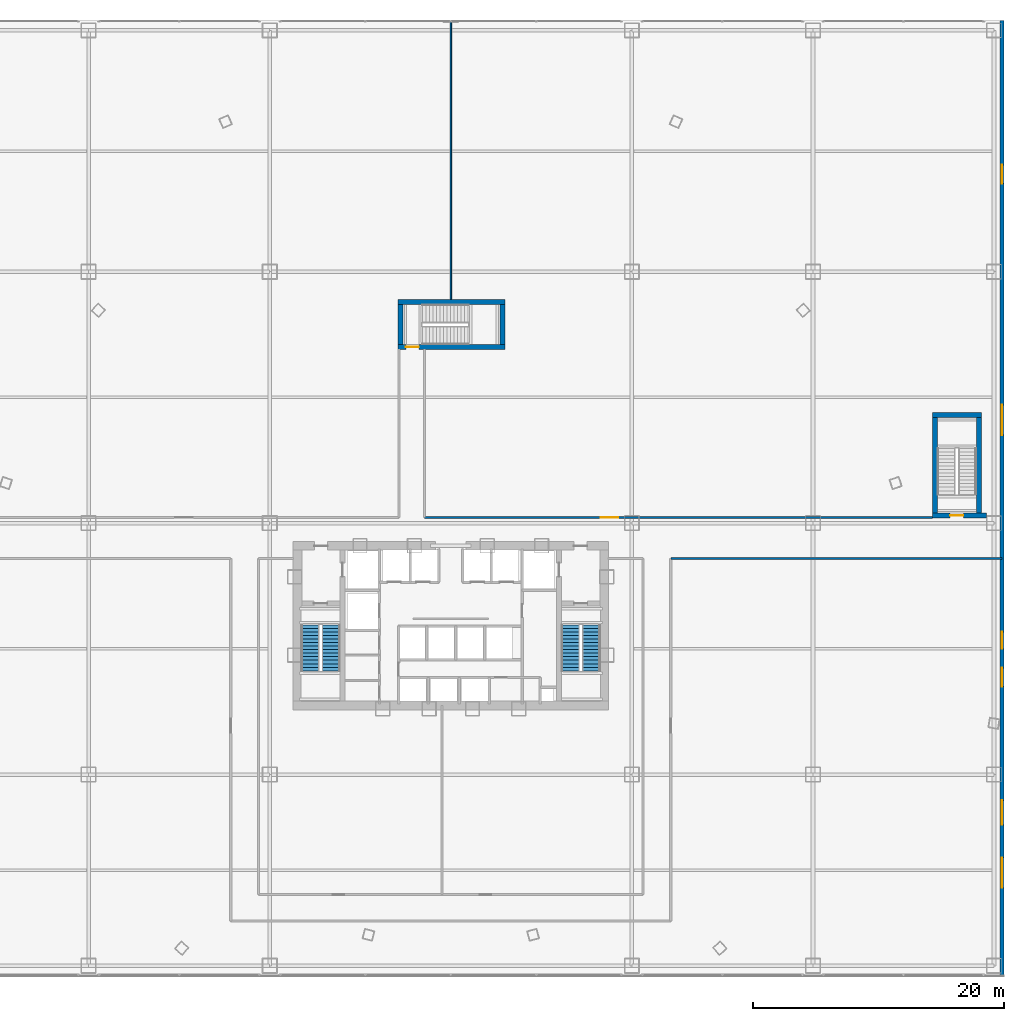
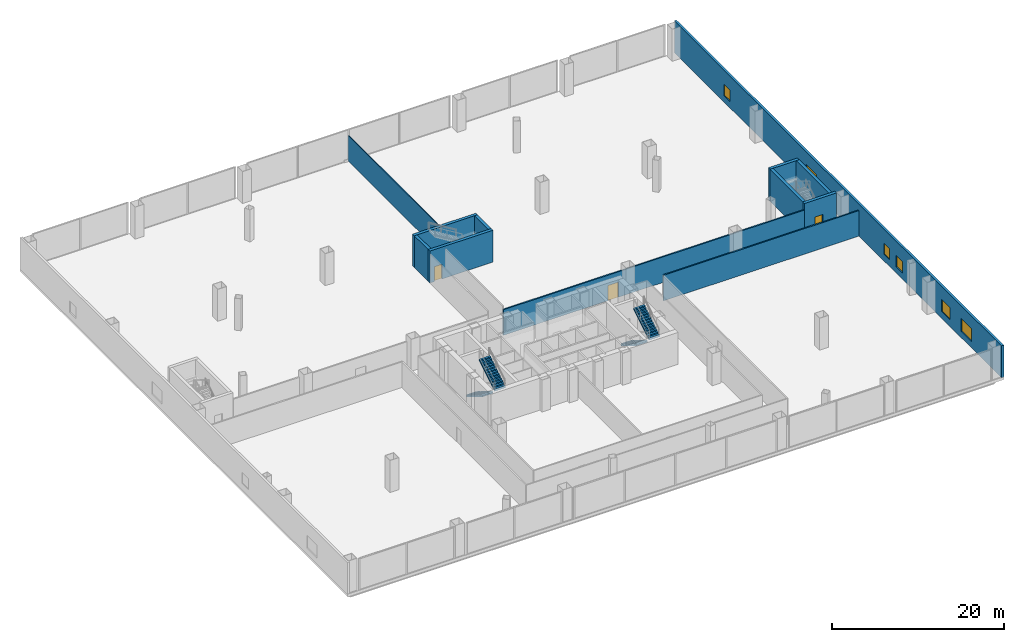
# One storey, part 35 of 40: 12 walls, 6 windows, 4 stair flights, 3 doors, 9 openings, 2 elements without a shape of their own.
"""IFC4 building model written with IfcOpenShell, lengths in metres."""

from ifc_helpers import new_model, si_unit, direction, frame, frame_2d, origin, origin_with_axes, place, context, subcontext, project, spatial, polyline, rectangle, outline, extrude, source, transform, mapped, material, layer, layer_set, type_object, element, fill, aggregate, save


model = new_model("IFC4")

# Units and contexts
model_context = context("Model", 3, precision=1e-05, world=origin(), true_north=direction((0.0, 1.0)))
body_context = subcontext(model_context, "Body", "Model", "MODEL_VIEW")
ifc_project = project(units=[si_unit("LENGTHUNIT", "METRE"), si_unit("AREAUNIT", "SQUARE_METRE"), si_unit("VOLUMEUNIT", "CUBIC_METRE"), si_unit("PLANEANGLEUNIT", "RADIAN"), si_unit("MASSUNIT", "GRAM", prefix="KILO"), si_unit("THERMODYNAMICTEMPERATUREUNIT", "KELVIN"), si_unit("POWERUNIT", "WATT")], contexts=[model_context])

# Site, building, storey
site_placement = place(None, origin())
site = spatial("IfcSite", under=ifc_project, at=site_placement, CompositionType="ELEMENT")
building_placement = place(site_placement, origin())
building = spatial("IfcBuilding", under=site, at=building_placement, Name="Yunzhuo Pagoda Commons", CompositionType="ELEMENT")
storey_placement = place(building_placement, frame((0.0, 0.0, 14.39990234375)))
storey = spatial("IfcBuildingStorey", under=building, at=storey_placement, Name="L04", CompositionType="ELEMENT", Elevation=14.39990234375)

# Wall, openings, windows
ifc_material_1 = material(Name="Precast concrete C40", Category="concrete")
ifc_layer_1 = layer(ifc_material_1, 0.300048828125)
ifc_layer_set_1 = layer_set([ifc_layer_1], Name="Precast concrete C40")
wall_type_1 = type_object("IfcWallType", Name="W-EXT1 Podium Precast Spandrel Wall 300", PredefinedType="STANDARD", material=ifc_layer_set_1)
wall_1_placement = place(storey_placement, frame((91.85009765625, 6.0, 0.0), z_axis=(0.0, 0.0, 1.0), x_axis=(0.0, 1.0, 0.0)))
wall_1 = element("IfcWall", 1, at=wall_1_placement, inside=storey, type_object=wall_type_1, Name="L04 E precast spandrel wall", PredefinedType="STANDARD", context=body_context, shape_type="SweptSolid", body=[
    extrude(rectangle(XDim=76.0, YDim=0.300048828125, at=frame_2d((38.0, 0.0))), origin(), (0.0, 0.0, 1.0), 4.52001953125),
])
opening_1_placement = place(wall_1_placement, frame((7.0, 0.0, 0.89990234375)))
opening_1 = element("IfcOpeningElement", 2, at=opening_1_placement, cuts=wall_1, Name="Opening W-01", PredefinedType="OPENING", context=body_context, shape_type="SweptSolid", body=[
    extrude(rectangle(XDim=2.39990234375, YDim=1.800048828125, at=frame_2d((1.199951171875, 0.89990234375))), frame((0.0, 0.16015625, 0.0), z_axis=(0.0, -1.0, 0.0), x_axis=(1.0, 0.0, 0.0)), (0.0, 0.0, 1.0), 0.320068359375),
])
opening_2_placement = place(wall_1_placement, frame((23.0, 0.0, 0.89990234375)))
opening_2 = element("IfcOpeningElement", 3, at=opening_2_placement, cuts=wall_1, Name="Opening W-02", PredefinedType="OPENING", context=body_context, shape_type="SweptSolid", body=[
    extrude(rectangle(XDim=1.5, YDim=1.60009765625, at=frame_2d((0.75, 0.800048828125))), frame((0.0, 0.16015625, 0.0), z_axis=(0.0, -1.0, 0.0), x_axis=(1.0, 0.0, 0.0)), (0.0, 0.0, 1.0), 0.320068359375),
])
opening_3_placement = place(wall_1_placement, frame((43.0, 0.0, 0.89990234375)))
opening_3 = element("IfcOpeningElement", 4, at=opening_3_placement, cuts=wall_1, Name="Opening W-01", PredefinedType="OPENING", context=body_context, shape_type="SweptSolid", body=[
    extrude(rectangle(XDim=2.39990234375, YDim=1.800048828125, at=frame_2d((1.199951171875, 0.89990234375))), frame((0.0, 0.16015625, 0.0), z_axis=(0.0, -1.0, 0.0), x_axis=(1.0, 0.0, 0.0)), (0.0, 0.0, 1.0), 0.320068359375),
])
opening_4_placement = place(wall_1_placement, frame((63.0, 0.0, 0.89990234375)))
opening_4 = element("IfcOpeningElement", 5, at=opening_4_placement, cuts=wall_1, Name="Opening W-02", PredefinedType="OPENING", context=body_context, shape_type="SweptSolid", body=[
    extrude(rectangle(XDim=1.5, YDim=1.60009765625, at=frame_2d((0.75, 0.800048828125))), frame((0.0, 0.16015625, 0.0), z_axis=(0.0, -1.0, 0.0), x_axis=(1.0, 0.0, 0.0)), (0.0, 0.0, 1.0), 0.320068359375),
])
opening_5_placement = place(wall_1_placement, frame((12.0, 0.0, 0.949951171875)))
opening_5 = element("IfcOpeningElement", 6, at=opening_5_placement, cuts=wall_1, Name="Opening W-07", PredefinedType="OPENING", context=body_context, shape_type="SweptSolid", body=[
    extrude(rectangle(XDim=1.949951171875, YDim=1.75, at=frame_2d((0.97509765625, 0.875))), frame((0.0, 0.16015625, 0.0), z_axis=(0.0, -1.0, 0.0), x_axis=(1.0, 0.0, 0.0)), (0.0, 0.0, 1.0), 0.320068359375),
])
opening_6_placement = place(wall_1_placement, frame((26.0, 0.0, 0.949951171875)))
opening_6 = element("IfcOpeningElement", 7, at=opening_6_placement, cuts=wall_1, Name="Opening W-08", PredefinedType="OPENING", context=body_context, shape_type="SweptSolid", body=[
    extrude(rectangle(XDim=1.35009765625, YDim=1.550048828125, at=frame_2d((0.675048828125, 0.77490234375))), frame((0.0, 0.16015625, 0.0), z_axis=(0.0, -1.0, 0.0), x_axis=(1.0, 0.0, 0.0)), (0.0, 0.0, 1.0), 0.320068359375),
])
ifc_material_2 = material(Name="Tempered low-e double glazing", Category="glass")
window_type_1 = type_object("IfcWindowType", Name="W-01 Podium Fixed Ribbon Window 2400x1800", PartitioningType="DOUBLE_PANEL_VERTICAL", PredefinedType="WINDOW", material=ifc_material_2)
shared_shape_1 = source(origin(), body_context, "Body", "SweptSolid", [
    extrude(rectangle(XDim=2.39990234375, YDim=1.800048828125, at=frame_2d((1.199951171875, 0.89990234375))), frame((0.0, 0.030029296875, 0.0), z_axis=(0.0, -1.0, 0.0), x_axis=(1.0, 0.0, 0.0)), (0.0, 0.0, 1.0), 0.06005859375),
])
window_1_placement = place(opening_1_placement, origin_with_axes())
window_1 = element("IfcWindow", 8, at=window_1_placement, inside=storey, type_object=window_type_1, Name="L04 E window 1", OverallHeight=1.800048828125, OverallWidth=2.39990234375, PartitioningType="SINGLE_PANEL", PredefinedType="WINDOW", context=body_context, shape_type="MappedRepresentation", body=[
    mapped(shared_shape_1, transform((0.0, 0.0, 0.0), scale=1.0)),
])
fill(opening_1, window_1)
window_2_placement = place(opening_3_placement, origin_with_axes())
window_2 = element("IfcWindow", 9, at=window_2_placement, inside=storey, type_object=window_type_1, Name="L04 E window 3", OverallHeight=1.800048828125, OverallWidth=2.39990234375, PartitioningType="SINGLE_PANEL", PredefinedType="WINDOW", context=body_context, shape_type="MappedRepresentation", body=[
    mapped(shared_shape_1, transform((0.0, 0.0, 0.0), scale=1.0)),
])
fill(opening_3, window_2)
window_type_2 = type_object("IfcWindowType", Name="W-02 Podium Casement Window 1500x1600", PartitioningType="SINGLE_PANEL", PredefinedType="WINDOW", material=ifc_material_2)
shared_shape_2 = source(origin(), body_context, "Body", "SweptSolid", [
    extrude(rectangle(XDim=1.5, YDim=1.60009765625, at=frame_2d((0.75, 0.800048828125))), frame((0.0, 0.030029296875, 0.0), z_axis=(0.0, -1.0, 0.0), x_axis=(1.0, 0.0, 0.0)), (0.0, 0.0, 1.0), 0.06005859375),
])
window_3_placement = place(opening_2_placement, origin_with_axes())
window_3 = element("IfcWindow", 10, at=window_3_placement, inside=storey, type_object=window_type_2, Name="L04 E window 2", OverallHeight=1.60009765625, OverallWidth=1.5, PartitioningType="SINGLE_PANEL", PredefinedType="WINDOW", context=body_context, shape_type="MappedRepresentation", body=[
    mapped(shared_shape_2, transform((0.0, 0.0, 0.0), scale=1.0)),
])
fill(opening_2, window_3)
window_4_placement = place(opening_4_placement, origin_with_axes())
window_4 = element("IfcWindow", 11, at=window_4_placement, inside=storey, type_object=window_type_2, Name="L04 E window 4", OverallHeight=1.60009765625, OverallWidth=1.5, PartitioningType="SINGLE_PANEL", PredefinedType="WINDOW", context=body_context, shape_type="MappedRepresentation", body=[
    mapped(shared_shape_2, transform((0.0, 0.0, 0.0), scale=1.0)),
])
fill(opening_4, window_4)
window_type_3 = type_object("IfcWindowType", Name="W-07 Podium Acoustic Window 1950x1750", PartitioningType="SINGLE_PANEL", PredefinedType="WINDOW", material=ifc_material_2)
shared_shape_3 = source(origin(), body_context, "Body", "SweptSolid", [
    extrude(rectangle(XDim=1.949951171875, YDim=1.75, at=frame_2d((0.97509765625, 0.875))), frame((0.0, 0.030029296875, 0.0), z_axis=(0.0, -1.0, 0.0), x_axis=(1.0, 0.0, 0.0)), (0.0, 0.0, 1.0), 0.06005859375),
])
window_5_placement = place(opening_5_placement, origin_with_axes())
window_5 = element("IfcWindow", 12, at=window_5_placement, inside=storey, type_object=window_type_3, Name="L04 east acoustic window 1", OverallHeight=1.75, OverallWidth=1.949951171875, PartitioningType="SINGLE_PANEL", PredefinedType="WINDOW", context=body_context, shape_type="MappedRepresentation", body=[
    mapped(shared_shape_3, transform((0.0, 0.0, 0.0), scale=1.0)),
])
fill(opening_5, window_5)
window_type_4 = type_object("IfcWindowType", Name="W-08 Podium Acoustic Window 1350x1550", PartitioningType="SINGLE_PANEL", PredefinedType="WINDOW", material=ifc_material_2)
shared_shape_4 = source(origin(), body_context, "Body", "SweptSolid", [
    extrude(rectangle(XDim=1.35009765625, YDim=1.550048828125, at=frame_2d((0.675048828125, 0.77490234375))), frame((0.0, 0.030029296875, 0.0), z_axis=(0.0, -1.0, 0.0), x_axis=(1.0, 0.0, 0.0)), (0.0, 0.0, 1.0), 0.06005859375),
])
window_6_placement = place(opening_6_placement, origin_with_axes())
window_6 = element("IfcWindow", 13, at=window_6_placement, inside=storey, type_object=window_type_4, Name="L04 east acoustic window 2", OverallHeight=1.550048828125, OverallWidth=1.35009765625, PartitioningType="SINGLE_PANEL", PredefinedType="WINDOW", context=body_context, shape_type="MappedRepresentation", body=[
    mapped(shared_shape_4, transform((0.0, 0.0, 0.0), scale=1.0)),
])
fill(opening_6, window_6)

# Wall
ifc_material_3 = material(Name="Gypsum plasterboard on acoustic stud")
ifc_layer_2 = layer(ifc_material_3, 0.1201171875)
ifc_layer_set_2 = layer_set([ifc_layer_2], Name="Gypsum plasterboard on acoustic stud")
wall_type_2 = type_object("IfcWallType", Name="W-PRT1 Suite & Bathroom Partition 120", PredefinedType="PARTITIONING", material=ifc_layer_set_2)
wall_2_placement = place(storey_placement, frame((48.0, 59.800048828125, 0.0), z_axis=(0.0, 0.0, 1.0), x_axis=(0.0, 1.0, 0.0)))
element("IfcWall", 14, at=wall_2_placement, inside=storey, type_object=wall_type_2, Name="L04 interior wall IW-L04-SPNN", PredefinedType="PARTITIONING", context=body_context, shape_type="SweptSolid", body=[
    extrude(rectangle(XDim=22.099853515625, YDim=0.1201171875, at=frame_2d((11.0498046875, 0.0))), origin(), (0.0, 0.0, 1.0), 3.6201171875),
])

# Wall, opening, door
ifc_layer_3 = layer(ifc_material_3, 0.179931640625)
ifc_layer_set_3 = layer_set([ifc_layer_3], Name="Gypsum plasterboard on acoustic stud")
wall_type_3 = type_object("IfcWallType", Name="W-PRT2 Acoustic Unit Demising Wall 180", PredefinedType="PARTITIONING", material=ifc_layer_set_3)
wall_3_placement = place(storey_placement, frame((45.919921875, 42.449951171875, 0.0), z_axis=(0.0, 0.0, 1.0), x_axis=(1.0, 0.0, 0.0)))
wall_3 = element("IfcWall", 15, at=wall_3_placement, inside=storey, type_object=wall_type_3, Name="L04 interior wall IW-L04-PNWE", PredefinedType="PARTITIONING", context=body_context, shape_type="SweptSolid", body=[
    extrude(rectangle(XDim=40.380126953125, YDim=0.179931640625, at=frame_2d((20.18994140625, 0.0))), origin(), (0.0, 0.0, 1.0), 3.6201171875),
])
opening_7_placement = place(wall_3_placement, frame((14.0, 0.0, 0.0)))
opening_7 = element("IfcOpeningElement", 16, at=opening_7_placement, cuts=wall_3, Name="Opening D-10", PredefinedType="OPENING", context=body_context, shape_type="SweptSolid", body=[
    extrude(rectangle(XDim=1.39990234375, YDim=2.14990234375, at=frame_2d((0.699951171875, 1.074951171875))), frame((0.0, 0.10009765625, 0.0), z_axis=(0.0, -1.0, 0.0), x_axis=(1.0, 0.0, 0.0)), (0.0, 0.0, 1.0), 0.199951171875),
])
ifc_material_4 = material(Name="Galvanized fire-resisting metal leaf")
door_type_1 = type_object("IfcDoorType", Name="D-10 Podium Dining & Library Double Leaf Door 1400x2150", OperationType="NOTDEFINED", PredefinedType="DOOR", material=ifc_material_4)
shared_shape_5 = source(origin(), body_context, "Body", "SweptSolid", [
    extrude(rectangle(XDim=1.39990234375, YDim=2.14990234375, at=frame_2d((0.699951171875, 1.074951171875))), frame((0.0, 0.02490234375, 0.0), z_axis=(0.0, -1.0, 0.0), x_axis=(1.0, 0.0, 0.0)), (0.0, 0.0, 1.0), 0.050048828125),
])
door_1_placement = place(opening_7_placement, origin_with_axes())
door_1 = element("IfcDoor", 17, at=door_1_placement, inside=storey, type_object=door_type_1, Name="L04 Makerspace Fabrication Studio door E", OperationType="SINGLE_SWING_LEFT", OverallHeight=2.14990234375, OverallWidth=1.39990234375, PredefinedType="DOOR", context=body_context, shape_type="MappedRepresentation", body=[
    mapped(shared_shape_5, transform((0.0, 0.0, 0.0), scale=1.0)),
])
fill(opening_7, door_1)

# Walls
wall_4_placement = place(storey_placement, frame((65.5, 39.199951171875, 0.0), z_axis=(0.0, 0.0, 1.0), x_axis=(1.0, 0.0, 0.0)))
element("IfcWall", 18, at=wall_4_placement, inside=storey, type_object=wall_type_3, Name="L04 interior wall IW-L04-PEASTN", PredefinedType="PARTITIONING", context=body_context, shape_type="SweptSolid", body=[
    extrude(rectangle(XDim=26.35009765625, YDim=0.179931640625, at=frame_2d((13.175048828125, 0.0))), origin(), (0.0, 0.0, 1.0), 3.6201171875),
])
ifc_material_5 = material(Name="Concrete C60", Category="concrete")
ifc_layer_4 = layer(ifc_material_5, 0.39990234375)
ifc_layer_set_4 = layer_set([ifc_layer_4], Name="Concrete C60")
wall_type_4 = type_object("IfcWallType", Name="W-S01 Internal Core Shear Web 400", PredefinedType="SHEAR", material=ifc_layer_set_4)
wall_5_placement = place(storey_placement, frame((86.300048828125, 50.60009765625, 0.0), z_axis=(0.0, 0.0, 1.0), x_axis=(1.0, 0.0, 0.0)))
element("IfcWall", 19, at=wall_5_placement, inside=storey, type_object=wall_type_4, Name="L04 PS4 structural stair wall N", PredefinedType="SHEAR", context=body_context, shape_type="SweptSolid", body=[
    extrude(rectangle(XDim=3.89990234375, YDim=0.39990234375, at=frame_2d((1.949951171875, 0.0))), origin(), (0.0, 0.0, 1.0), 4.52001953125),
])

# Wall, opening, door
wall_6_placement = place(storey_placement, frame((86.300048828125, 42.60009765625, 0.0), z_axis=(0.0, 0.0, 1.0), x_axis=(1.0, 0.0, 0.0)))
wall_6 = element("IfcWall", 20, at=wall_6_placement, inside=storey, type_object=wall_type_4, Name="L04 PS4 structural stair wall S", PredefinedType="SHEAR", context=body_context, shape_type="SweptSolid", body=[
    extrude(rectangle(XDim=4.300048828125, YDim=0.39990234375, at=frame_2d((2.14990234375, 0.0))), origin(), (0.0, 0.0, 1.0), 4.52001953125),
])
opening_8_placement = place(wall_6_placement, frame((1.419921875, 0.0, 0.0)))
opening_8 = element("IfcOpeningElement", 21, at=opening_8_placement, cuts=wall_6, Name="Opening D-01", PredefinedType="OPENING", context=body_context, shape_type="SweptSolid", body=[
    extrude(rectangle(XDim=1.050048828125, YDim=2.10009765625, at=frame_2d((0.52490234375, 1.050048828125))), frame((0.0, 0.2099609375, 0.0), z_axis=(0.0, -1.0, 0.0), x_axis=(1.0, 0.0, 0.0)), (0.0, 0.0, 1.0), 0.419921875),
])
door_type_2 = type_object("IfcDoorType", Name="D-01 Smokeproof Stair Fire Door 1050x2100", OperationType="NOTDEFINED", PredefinedType="DOOR", material=ifc_material_4)
shared_shape_6 = source(origin(), body_context, "Body", "SweptSolid", [
    extrude(rectangle(XDim=1.050048828125, YDim=2.10009765625, at=frame_2d((0.52490234375, 1.050048828125))), frame((0.0, 0.02490234375, 0.0), z_axis=(0.0, -1.0, 0.0), x_axis=(1.0, 0.0, 0.0)), (0.0, 0.0, 1.0), 0.050048828125),
])
door_2_placement = place(opening_8_placement, frame((1.050048828125, 0.0, 0.0), z_axis=(0.0, 0.0, 1.0), x_axis=(-1.0, 0.0, 0.0)))
door_2 = element("IfcDoor", 22, at=door_2_placement, inside=storey, type_object=door_type_2, Name="L04 PS4 stair fire door", OperationType="SINGLE_SWING_RIGHT", OverallHeight=2.10009765625, OverallWidth=1.050048828125, PredefinedType="DOOR", context=body_context, shape_type="MappedRepresentation", body=[
    mapped(shared_shape_6, transform((0.0, 0.0, 0.0), scale=1.0)),
])
fill(opening_8, door_2)

# Walls
for number, where, z_axis, x_axis, name in (
    (23, (86.5, 42.800048828125, 0.0), (0.0, 0.0, 1.0), (0.0, 1.0, 0.0), "L04 PS4 structural stair wall W"),
    (24, (90.0, 42.800048828125, 0.0), (0.0, 0.0, 1.0), (0.0, 1.0, 0.0), "L04 PS4 structural stair wall E"),
):
    element("IfcWall", number, at=place(storey_placement, frame(where, z_axis=z_axis, x_axis=x_axis)), inside=storey, type_object=wall_type_4, Name=name, PredefinedType="SHEAR", context=body_context, shape_type="SweptSolid", body=[
        extrude(rectangle(XDim=7.599853515625, YDim=0.39990234375, at=frame_2d((3.7998046875, 0.0))), origin(), (0.0, 0.0, 1.0), 4.52001953125),
    ])
wall_7_placement = place(storey_placement, frame((43.800048828125, 59.60009765625, 0.0), z_axis=(0.0, 0.0, 1.0), x_axis=(1.0, 0.0, 0.0)))
element("IfcWall", 25, at=wall_7_placement, inside=storey, type_object=wall_type_4, Name="L04 ST3 structural stair wall N", PredefinedType="SHEAR", context=body_context, shape_type="SweptSolid", body=[
    extrude(rectangle(XDim=8.5, YDim=0.39990234375, at=frame_2d((4.25, 0.0))), origin(), (0.0, 0.0, 1.0), 4.52001953125),
])

# Wall, opening, door
wall_8_placement = place(storey_placement, frame((43.800048828125, 56.0, 0.0), z_axis=(0.0, 0.0, 1.0), x_axis=(1.0, 0.0, 0.0)))
wall_8 = element("IfcWall", 26, at=wall_8_placement, inside=storey, type_object=wall_type_4, Name="L04 ST3 structural stair wall S", PredefinedType="SHEAR", context=body_context, shape_type="SweptSolid", body=[
    extrude(rectangle(XDim=8.5, YDim=0.39990234375, at=frame_2d((4.25, 0.0))), origin(), (0.0, 0.0, 1.0), 4.52001953125),
])
opening_9_placement = place(wall_8_placement, frame((0.6201171875, 0.0, 0.0)))
opening_9 = element("IfcOpeningElement", 27, at=opening_9_placement, cuts=wall_8, Name="Opening D-01", PredefinedType="OPENING", context=body_context, shape_type="SweptSolid", body=[
    extrude(rectangle(XDim=1.050048828125, YDim=2.10009765625, at=frame_2d((0.52490234375, 1.050048828125))), frame((0.0, 0.2099609375, 0.0), z_axis=(0.0, -1.0, 0.0), x_axis=(1.0, 0.0, 0.0)), (0.0, 0.0, 1.0), 0.419921875),
])
door_3_placement = place(opening_9_placement, frame((1.050048828125, 0.0, 0.0), z_axis=(0.0, 0.0, 1.0), x_axis=(-1.0, 0.0, 0.0)))
door_3 = element("IfcDoor", 28, at=door_3_placement, inside=storey, type_object=door_type_2, Name="L04 Stair ST3 fire door", OperationType="SINGLE_SWING_LEFT", OverallHeight=2.10009765625, OverallWidth=1.050048828125, PredefinedType="DOOR", context=body_context, shape_type="MappedRepresentation", body=[
    mapped(shared_shape_6, transform((0.0, 0.0, 0.0), scale=1.0)),
])
fill(opening_9, door_3)

# Walls
for number, where, z_axis, x_axis, name in (
    (29, (44.0, 56.199951171875, 0.0), (0.0, 0.0, 1.0), (0.0, 1.0, 0.0), "L04 ST3 structural stair wall W"),
    (30, (52.10009765625, 56.199951171875, 0.0), (0.0, 0.0, 1.0), (0.0, 1.0, 0.0), "L04 ST3 structural stair wall E"),
):
    element("IfcWall", number, at=place(storey_placement, frame(where, z_axis=z_axis, x_axis=x_axis)), inside=storey, type_object=wall_type_4, Name=name, PredefinedType="SHEAR", context=body_context, shape_type="SweptSolid", body=[
        extrude(rectangle(XDim=3.199951171875, YDim=0.39990234375, at=frame_2d((1.60009765625, 0.0))), origin(), (0.0, 0.0, 1.0), 4.52001953125),
    ])

# Stair, stair flights
ifc_material_6 = material(Name="Concrete C40", Category="concrete")
stair_type_1 = type_object("IfcStairType", Name="ST-C1 Core Smokeproof Stair ST1", PredefinedType="HALF_TURN_STAIR", material=ifc_material_6)
stair_1_placement = place(storey_placement, origin())
stair_1 = element("IfcStair", 31, at=stair_1_placement, inside=storey, type_object=stair_type_1, Name="L04 Core smokeproof stair ST1", PredefinedType="HALF_TURN_STAIR")
stair_flight_type_1 = type_object("IfcStairFlightType", Name="STF-C1 Core Stair Flight 1450", PredefinedType="STRAIGHT", material=ifc_material_6)
shared_shape_7 = source(origin(), body_context, "Body", "SweptSolid", [
    extrude(outline(polyline([(0.0, -0.14990234375), (0.0, 0.0), (0.0, 0.17138671875), (0.280029296875, 0.17138671875), (0.280029296875, 0.3427734375), (0.56005859375, 0.3427734375), (0.56005859375, 0.514404296875), (0.840087890625, 0.514404296875), (0.840087890625, 0.685791015625), (1.1201171875, 0.685791015625), (1.1201171875, 0.857177734375), (1.39990234375, 0.857177734375), (1.39990234375, 1.028564453125), (1.679931640625, 1.028564453125), (1.679931640625, 1.199951171875), (1.9599609375, 1.199951171875), (1.9599609375, 1.371337890625), (2.239990234375, 1.371337890625), (2.239990234375, 1.54296875), (2.52001953125, 1.54296875), (2.52001953125, 1.71435546875), (2.800048828125, 1.71435546875), (2.800048828125, 1.8857421875), (3.080078125, 1.8857421875), (3.080078125, 2.05712890625), (3.360107421875, 2.05712890625), (3.360107421875, 2.228515625), (3.639892578125, 2.228515625), (3.639892578125, 2.39990234375), (3.639892578125, 2.052734375), (0.287109375, 0.0), (0.050048828125, -0.14990234375), (0.0, -0.14990234375)])), frame((0.0, 0.72509765625, 0.0), z_axis=(0.0, -1.0, 0.0), x_axis=(1.0, 0.0, 0.0)), (0.0, 0.0, 1.0), 1.449951171875),
])
stair_flight_1_placement = place(storey_placement, frame((36.824951171875, 33.89990234375, 0.0), z_axis=(0.0, 0.0, 1.0), x_axis=(0.0, -1.0, 0.0)))
stair_flight_1 = element("IfcStairFlight", 32, at=stair_flight_1_placement, type_object=stair_flight_type_1, Name="ST1 flight 1", NumberOfRisers=14, NumberOfTreads=13, PredefinedType="STRAIGHT", RiserHeight=0.171428571, TreadLength=0.28, context=body_context, shape_type="MappedRepresentation", body=[
    mapped(shared_shape_7, transform((0.0, 0.0, 0.0), scale=1.0)),
])
stair_flight_2_placement = place(storey_placement, frame((38.47509765625, 30.260009765625, 2.400146484375), z_axis=(0.0, 0.0, 1.0), x_axis=(0.0, 1.0, 0.0)))
stair_flight_2 = element("IfcStairFlight", 33, at=stair_flight_2_placement, type_object=stair_flight_type_1, Name="ST1 flight 2", NumberOfRisers=14, NumberOfTreads=13, PredefinedType="STRAIGHT", RiserHeight=0.171428571, TreadLength=0.28, context=body_context, shape_type="MappedRepresentation", body=[
    mapped(shared_shape_7, transform((0.0, 0.0, 0.0), scale=1.0)),
])
aggregate(stair_1, [stair_flight_1, stair_flight_2])

stair_type_2 = type_object("IfcStairType", Name="ST-C2 Core Smokeproof Stair ST2", PredefinedType="HALF_TURN_STAIR", material=ifc_material_6)
stair_2_placement = place(storey_placement, origin())
stair_2 = element("IfcStair", 34, at=stair_2_placement, inside=storey, type_object=stair_type_2, Name="L04 Core smokeproof stair ST2", PredefinedType="HALF_TURN_STAIR")
stair_flight_type_2 = type_object("IfcStairFlightType", Name="STF-C2 Core Stair Flight 1460", PredefinedType="STRAIGHT", material=ifc_material_6)
stair_flight_3_placement = place(storey_placement, frame((57.52490234375, 33.89990234375, 0.0), z_axis=(0.0, 0.0, 1.0), x_axis=(0.0, -1.0, 0.0)))
stair_flight_3 = element("IfcStairFlight", 35, at=stair_flight_3_placement, type_object=stair_flight_type_2, Name="ST2 flight 1", NumberOfRisers=14, NumberOfTreads=13, PredefinedType="STRAIGHT", RiserHeight=0.171428571, TreadLength=0.28, context=body_context, shape_type="MappedRepresentation", body=[
    mapped(shared_shape_7, transform((0.0, 0.0, 0.0), scale=1.0)),
])
stair_flight_4_placement = place(storey_placement, frame((59.175048828125, 30.260009765625, 2.400146484375), z_axis=(0.0, 0.0, 1.0), x_axis=(0.0, 1.0, 0.0)))
stair_flight_4 = element("IfcStairFlight", 36, at=stair_flight_4_placement, type_object=stair_flight_type_2, Name="ST2 flight 2", NumberOfRisers=14, NumberOfTreads=13, PredefinedType="STRAIGHT", RiserHeight=0.171428571, TreadLength=0.28, context=body_context, shape_type="MappedRepresentation", body=[
    mapped(shared_shape_7, transform((0.0, 0.0, 0.0), scale=1.0)),
])
aggregate(stair_2, [stair_flight_3, stair_flight_4])

save(model, "model.ifc")
